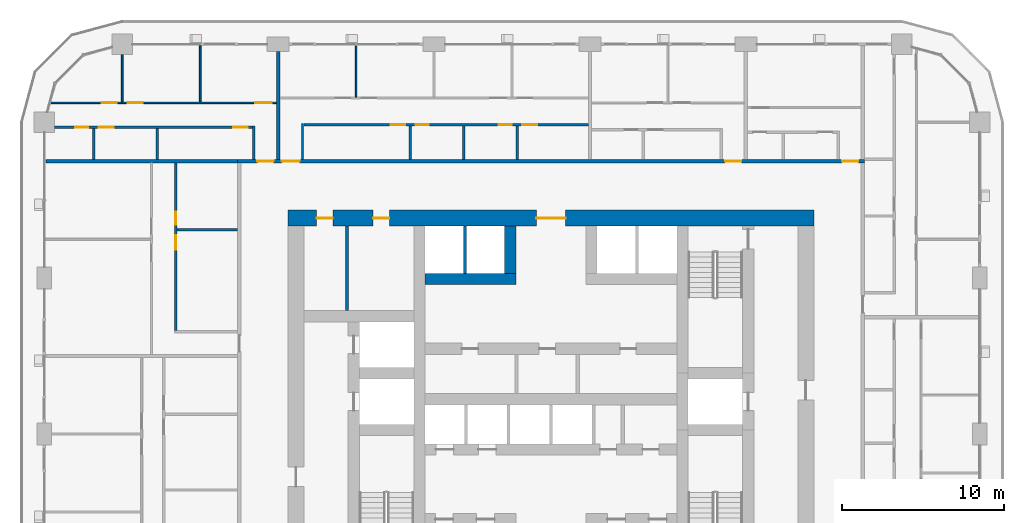
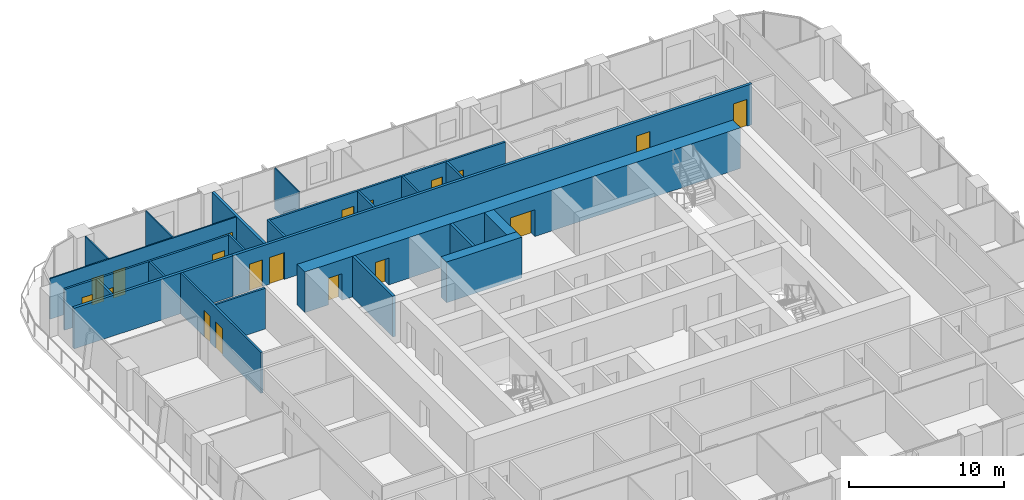
# One storey, part 13 of 21: 23 walls, 19 doors, 19 openings.
"""IFC4 building model written with IfcOpenShell, lengths in metres."""

from ifc_helpers import new_model, si_unit, direction, frame, frame_2d, origin, place, context, subcontext, project, spatial, rectangle, extrude, material, layer, layer_set, type_object, element, fill, save


model = new_model("IFC4")

# Units and contexts
model_context = context("Model", 3, precision=1e-05, world=origin(), true_north=direction((0.0, 1.0)))
body_context = subcontext(model_context, "Body", "Model", "MODEL_VIEW")
ifc_project = project(units=[si_unit("LENGTHUNIT", "METRE"), si_unit("AREAUNIT", "SQUARE_METRE"), si_unit("VOLUMEUNIT", "CUBIC_METRE"), si_unit("PLANEANGLEUNIT", "RADIAN"), si_unit("MASSUNIT", "GRAM", prefix="KILO")], contexts=[model_context])

# Site, building, storey
site_placement = place(None, origin())
site = spatial("IfcSite", under=ifc_project, at=site_placement, CompositionType="ELEMENT")
building_placement = place(site_placement, origin())
building = spatial("IfcBuilding", under=site, at=building_placement, Name="Madar Terraces", CompositionType="ELEMENT")
storey_placement = place(building_placement, frame((0.0, 0.0, 32.89990234375)))
storey = spatial("IfcBuildingStorey", under=building, at=storey_placement, Name="L07", CompositionType="ELEMENT", Elevation=32.89990234375)

# Walls
ifc_material_1 = material(Name="Concrete C80/95", Category="concrete")
ifc_layer_1 = layer(ifc_material_1, 0.699951171875)
ifc_layer_set_1 = layer_set([ifc_layer_1], Name="Concrete C80/95 (CIW1 RC wall 700)")
wall_type_1 = type_object("IfcWallType", Name="CIW1 RC wall 700", PredefinedType="SHEAR", material=ifc_layer_set_1)
wall_1_placement = place(storey_placement, frame((23.449951171875, 33.550048828125, 0.0), z_axis=(0.0, 0.0, 1.0), x_axis=(1.0, 0.0, 0.0)))
element("IfcWall", 1, at=wall_1_placement, inside=storey, type_object=wall_type_1, Name="CORE SHAFT WALL", PredefinedType="SHEAR", context=body_context, shape_type="SweptSolid", body=[
    extrude(rectangle(XDim=5.60009765625, YDim=0.699951171875, at=frame_2d((2.800048828125, 0.0))), origin(), (0.0, 0.0, 1.0), 3.2001953125),
])
wall_2_placement = place(storey_placement, frame((28.699951171875, 33.89990234375, 0.0), z_axis=(0.0, 0.0, 1.0), x_axis=(0.0, 1.0, 0.0)))
element("IfcWall", 2, at=wall_2_placement, inside=storey, type_object=wall_type_1, Name="CORE SHAFT WALL", PredefinedType="SHEAR", context=body_context, shape_type="SweptSolid", body=[
    extrude(rectangle(XDim=2.900146484375, YDim=0.699951171875, at=frame_2d((1.4501953125, 0.0))), origin(), (0.0, 0.0, 1.0), 3.2001953125),
])

# Wall, openings, doors
ifc_material_2 = material(Name="Concrete C80/95", Category="concrete")
ifc_layer_2 = layer(ifc_material_2, 1.0)
ifc_layer_set_2 = layer_set([ifc_layer_2], Name="Concrete C80/95 (CRW1 RC wall 1000)")
wall_type_2 = type_object("IfcWallType", Name="CRW1 RC wall 1000", PredefinedType="SHEAR", material=ifc_layer_set_2)
wall_3_placement = place(storey_placement, frame((15.0, 37.300048828125, 0.0), z_axis=(0.0, 0.0, 1.0), x_axis=(1.0, 0.0, 0.0)))
wall_3 = element("IfcWall", 3, at=wall_3_placement, inside=storey, type_object=wall_type_2, Name="CORE OUTER WALL", PredefinedType="SHEAR", context=body_context, shape_type="SweptSolid", body=[
    extrude(rectangle(XDim=32.39990234375, YDim=1.0, at=frame_2d((16.199951171875, 0.0))), origin(), (0.0, 0.0, 1.0), 3.2001953125),
])
opening_1_placement = place(wall_3_placement, frame((15.300048828125, 0.0, 0.0)))
opening_1 = element("IfcOpeningElement", 4, at=opening_1_placement, cuts=wall_3, Name="Opening KD1", PredefinedType="OPENING", context=body_context, shape_type="SweptSolid", body=[
    extrude(rectangle(XDim=1.800048828125, YDim=2.10009765625, at=frame_2d((0.89990234375, 1.050048828125))), frame((0.0, 0.510009765625, 0.0), z_axis=(0.0, -1.0, 0.0), x_axis=(1.0, 0.0, 0.0)), (0.0, 0.0, 1.0), 1.02001953125),
])
opening_2_placement = place(wall_3_placement, frame((1.766357421875, 0.0, 0.0)))
opening_2 = element("IfcOpeningElement", 5, at=opening_2_placement, cuts=wall_3, Name="Opening KD2", PredefinedType="OPENING", context=body_context, shape_type="SweptSolid", body=[
    extrude(rectangle(XDim=1.0, YDim=2.10009765625, at=frame_2d((0.5, 1.050048828125))), frame((0.0, 0.510009765625, 0.0), z_axis=(0.0, -1.0, 0.0), x_axis=(1.0, 0.0, 0.0)), (0.0, 0.0, 1.0), 1.02001953125),
])
opening_3_placement = place(wall_3_placement, frame((5.2412109375, 0.0, 0.0)))
opening_3 = element("IfcOpeningElement", 6, at=opening_3_placement, cuts=wall_3, Name="Opening KD2", PredefinedType="OPENING", context=body_context, shape_type="SweptSolid", body=[
    extrude(rectangle(XDim=1.0, YDim=2.10009765625, at=frame_2d((0.5, 1.050048828125))), frame((0.0, 0.510009765625, 0.0), z_axis=(0.0, -1.0, 0.0), x_axis=(1.0, 0.0, 0.0)), (0.0, 0.0, 1.0), 1.02001953125),
])
ifc_material_3 = material(Name="Steel door leaf", Category="steel")
door_type_1 = type_object("IfcDoorType", Name="Lobby door pair 1800 x 2100", OperationType="DOUBLE_DOOR_SINGLE_SWING", PredefinedType="DOOR", material=ifc_material_3)
door_1_placement = place(opening_1_placement, origin())
door_1 = element("IfcDoor", 7, at=door_1_placement, inside=storey, type_object=door_type_1, Name="LIFT LOBBY DOOR", OperationType="DOUBLE_DOOR_SINGLE_SWING", OverallHeight=2.10009765625, OverallWidth=1.800048828125, PredefinedType="DOOR", context=body_context, shape_type="SweptSolid", body=[
    extrude(rectangle(XDim=1.800048828125, YDim=2.10009765625, at=frame_2d((0.89990234375, 1.050048828125))), frame((0.0, 0.02490234375, 0.0), z_axis=(0.0, -1.0, 0.0), x_axis=(1.0, 0.0, 0.0)), (0.0, 0.0, 1.0), 0.050048828125),
])
fill(opening_1, door_1)
ifc_material_4 = material(Name="Steel door leaf", Category="steel")
door_type_2 = type_object("IfcDoorType", Name="Service room door 1000 x 2100", OperationType="NOTDEFINED", PredefinedType="DOOR", material=ifc_material_4)
door_2_placement = place(opening_2_placement, origin())
door_2 = element("IfcDoor", 8, at=door_2_placement, inside=storey, type_object=door_type_2, Name="SERVICE ROOM DOOR", OperationType="SINGLE_SWING_RIGHT", OverallHeight=2.10009765625, OverallWidth=1.0, PredefinedType="DOOR", context=body_context, shape_type="SweptSolid", body=[
    extrude(rectangle(XDim=1.0, YDim=2.10009765625, at=frame_2d((0.5, 1.050048828125))), frame((0.0, 0.02490234375, 0.0), z_axis=(0.0, -1.0, 0.0), x_axis=(1.0, 0.0, 0.0)), (0.0, 0.0, 1.0), 0.050048828125),
])
fill(opening_2, door_2)
door_3_placement = place(opening_3_placement, origin())
door_3 = element("IfcDoor", 9, at=door_3_placement, inside=storey, type_object=door_type_2, Name="SERVICE ROOM DOOR", OperationType="SINGLE_SWING_LEFT", OverallHeight=2.10009765625, OverallWidth=1.0, PredefinedType="DOOR", context=body_context, shape_type="SweptSolid", body=[
    extrude(rectangle(XDim=1.0, YDim=2.10009765625, at=frame_2d((0.5, 1.050048828125))), frame((0.0, 0.02490234375, 0.0), z_axis=(0.0, -1.0, 0.0), x_axis=(1.0, 0.0, 0.0)), (0.0, 0.0, 1.0), 0.050048828125),
])
fill(opening_3, door_3)

# Walls
ifc_material_5 = material(Name="Masonry blockwork", Category="masonry")
ifc_layer_3 = layer(ifc_material_5, 0.199951171875)
ifc_layer_set_3 = layer_set([ifc_layer_3], Name="Core partition 200 blockwork")
wall_type_3 = type_object("IfcWallType", Name="Core partition 200 blockwork", PredefinedType="PARTITIONING", material=ifc_layer_set_3)
wall_4_placement = place(storey_placement, frame((18.632568359375, 31.60009765625, 0.0), z_axis=(0.0, 0.0, 1.0), x_axis=(0.0, 1.0, 0.0)))
element("IfcWall", 10, at=wall_4_placement, inside=storey, type_object=wall_type_3, Name="SERVICE ROOM PARTITION", PredefinedType="PARTITIONING", context=body_context, shape_type="SweptSolid", body=[
    extrude(rectangle(XDim=5.199951171875, YDim=0.199951171875, at=frame_2d((2.60009765625, 0.0))), origin(), (0.0, 0.0, 1.0), 3.2001953125),
])
ifc_material_6 = material(Name="Concrete C40/50", Category="concrete")
ifc_layer_4 = layer(ifc_material_6, 0.199951171875)
ifc_layer_set_4 = layer_set([ifc_layer_4], Name="Core shaft dividing wall 200 C40/50")
wall_type_4 = type_object("IfcWallType", Name="Core shaft dividing wall 200 C40/50", PredefinedType="SOLIDWALL", material=ifc_layer_set_4)
wall_5_placement = place(storey_placement, frame((25.89990234375, 33.89990234375, 0.0), z_axis=(0.0, 0.0, 1.0), x_axis=(0.0, 1.0, 0.0)))
element("IfcWall", 11, at=wall_5_placement, inside=storey, type_object=wall_type_4, Name="SHAFT DIVIDING WALL", PredefinedType="SOLIDWALL", context=body_context, shape_type="SweptSolid", body=[
    extrude(rectangle(XDim=2.900146484375, YDim=0.199951171875, at=frame_2d((1.4501953125, 0.0))), origin(), (0.0, 0.0, 1.0), 3.2001953125),
])
ifc_material_7 = material(Name="Gypsum board on steel studs", Category="steel")
ifc_layer_5 = layer(ifc_material_7, 0.10009765625)
ifc_layer_set_5 = layer_set([ifc_layer_5], Name="Flat partition 100")
wall_type_5 = type_object("IfcWallType", Name="Flat partition 100", PredefinedType="PARTITIONING", material=ifc_layer_set_5)
wall_6_placement = place(storey_placement, frame((19.199951171875, 44.75, 0.0), z_axis=(0.0, 0.0, 1.0), x_axis=(0.0, 1.0, 0.0)))
element("IfcWall", 12, at=wall_6_placement, inside=storey, type_object=wall_type_5, Name="Flat partition 100", PredefinedType="PARTITIONING", context=body_context, shape_type="SweptSolid", body=[
    extrude(rectangle(XDim=3.14990234375, YDim=0.10009765625, at=frame_2d((1.574951171875, 0.0))), origin(), (0.0, 0.0, 1.0), 3.2001953125),
])
wall_7_placement = place(storey_placement, frame((9.60009765625, 44.449951171875, 0.0), z_axis=(0.0, 0.0, 1.0), x_axis=(0.0, 1.0, 0.0)))
element("IfcWall", 13, at=wall_7_placement, inside=storey, type_object=wall_type_5, Name="Flat partition 100", PredefinedType="PARTITIONING", context=body_context, shape_type="SweptSolid", body=[
    extrude(rectangle(XDim=3.449951171875, YDim=0.10009765625, at=frame_2d((1.72509765625, 0.0))), origin(), (0.0, 0.0, 1.0), 3.2001953125),
])
wall_8_placement = place(storey_placement, frame((4.800048828125, 44.449951171875, 0.0), z_axis=(0.0, 0.0, 1.0), x_axis=(0.0, 1.0, 0.0)))
element("IfcWall", 14, at=wall_8_placement, inside=storey, type_object=wall_type_5, Name="Flat partition 100", PredefinedType="PARTITIONING", context=body_context, shape_type="SweptSolid", body=[
    extrude(rectangle(XDim=2.925048828125, YDim=0.10009765625, at=frame_2d((1.46240234375, 0.0))), origin(), (0.0, 0.0, 1.0), 3.2001953125),
])

# Wall, openings, doors
wall_9_placement = place(storey_placement, frame((0.42138671875, 44.39990234375, 0.0), z_axis=(0.0, 0.0, 1.0), x_axis=(1.0, 0.0, 0.0)))
wall_9 = element("IfcWall", 15, at=wall_9_placement, inside=storey, type_object=wall_type_5, Name="Flat partition 100", PredefinedType="PARTITIONING", context=body_context, shape_type="SweptSolid", body=[
    extrude(rectangle(XDim=13.878662109375, YDim=0.10009765625, at=frame_2d((6.939453125, 0.0))), origin(), (0.0, 0.0, 1.0), 3.2001953125),
])
opening_4_placement = place(wall_9_placement, frame((12.57861328125, 0.0, 0.0)))
opening_4 = element("IfcOpeningElement", 16, at=opening_4_placement, cuts=wall_9, Name="Opening D3", PredefinedType="OPENING", context=body_context, shape_type="SweptSolid", body=[
    extrude(rectangle(XDim=1.0, YDim=2.10009765625, at=frame_2d((0.5, 1.050048828125))), frame((0.0, 0.06005859375, 0.0), z_axis=(0.0, -1.0, 0.0), x_axis=(1.0, 0.0, 0.0)), (0.0, 0.0, 1.0), 0.1201171875),
])
opening_5_placement = place(wall_9_placement, frame((4.728515625, 0.0, 0.0)))
opening_5 = element("IfcOpeningElement", 17, at=opening_5_placement, cuts=wall_9, Name="Opening D2", PredefinedType="OPENING", context=body_context, shape_type="SweptSolid", body=[
    extrude(rectangle(XDim=0.89990234375, YDim=2.10009765625, at=frame_2d((0.449951171875, 1.050048828125))), frame((0.0, 0.06005859375, 0.0), z_axis=(0.0, -1.0, 0.0), x_axis=(1.0, 0.0, 0.0)), (0.0, 0.0, 1.0), 0.1201171875),
])
opening_6_placement = place(wall_9_placement, frame((3.12841796875, 0.0, 0.0)))
opening_6 = element("IfcOpeningElement", 18, at=opening_6_placement, cuts=wall_9, Name="Opening D2", PredefinedType="OPENING", context=body_context, shape_type="SweptSolid", body=[
    extrude(rectangle(XDim=0.89990234375, YDim=2.10009765625, at=frame_2d((0.449951171875, 1.050048828125))), frame((0.0, 0.06005859375, 0.0), z_axis=(0.0, -1.0, 0.0), x_axis=(1.0, 0.0, 0.0)), (0.0, 0.0, 1.0), 0.1201171875),
])
ifc_material_8 = material(Name="Timber door leaf", Category="wood")
door_type_3 = type_object("IfcDoorType", Name="Flat living room door 1000", OperationType="NOTDEFINED", PredefinedType="DOOR", material=ifc_material_8)
door_4_placement = place(opening_4_placement, origin())
door_4 = element("IfcDoor", 19, at=door_4_placement, inside=storey, type_object=door_type_3, Name="Flat living room door 1000", OperationType="SINGLE_SWING_RIGHT", OverallHeight=2.10009765625, OverallWidth=1.0, PredefinedType="DOOR", context=body_context, shape_type="SweptSolid", body=[
    extrude(rectangle(XDim=1.0, YDim=2.10009765625, at=frame_2d((0.5, 1.050048828125))), frame((0.0, 0.02490234375, 0.0), z_axis=(0.0, -1.0, 0.0), x_axis=(1.0, 0.0, 0.0)), (0.0, 0.0, 1.0), 0.050048828125),
])
fill(opening_4, door_4)
ifc_material_9 = material(Name="Timber door leaf", Category="wood")
door_type_4 = type_object("IfcDoorType", Name="Flat room door 900", OperationType="NOTDEFINED", PredefinedType="DOOR", material=ifc_material_9)
door_5_placement = place(opening_5_placement, origin())
door_5 = element("IfcDoor", 20, at=door_5_placement, inside=storey, type_object=door_type_4, Name="Flat room door 900", OperationType="SINGLE_SWING_LEFT", OverallHeight=2.10009765625, OverallWidth=0.89990234375, PredefinedType="DOOR", context=body_context, shape_type="SweptSolid", body=[
    extrude(rectangle(XDim=0.89990234375, YDim=2.10009765625, at=frame_2d((0.449951171875, 1.050048828125))), frame((0.0, 0.02490234375, 0.0), z_axis=(0.0, -1.0, 0.0), x_axis=(1.0, 0.0, 0.0)), (0.0, 0.0, 1.0), 0.050048828125),
])
fill(opening_5, door_5)
door_6_placement = place(opening_6_placement, origin())
door_6 = element("IfcDoor", 21, at=door_6_placement, inside=storey, type_object=door_type_4, Name="Flat room door 900", OperationType="SINGLE_SWING_RIGHT", OverallHeight=2.10009765625, OverallWidth=0.89990234375, PredefinedType="DOOR", context=body_context, shape_type="SweptSolid", body=[
    extrude(rectangle(XDim=0.89990234375, YDim=2.10009765625, at=frame_2d((0.449951171875, 1.050048828125))), frame((0.0, 0.02490234375, 0.0), z_axis=(0.0, -1.0, 0.0), x_axis=(1.0, 0.0, 0.0)), (0.0, 0.0, 1.0), 0.050048828125),
])
fill(opening_6, door_6)

ifc_material_10 = material(Name="Lightweight blockwork", Category="masonry")
ifc_layer_6 = layer(ifc_material_10, 0.199951171875)
ifc_layer_set_6 = layer_set([ifc_layer_6], Name="Flat party and entrance wall 200")
wall_type_6 = type_object("IfcWallType", Name="Flat party and entrance wall 200", PredefinedType="PARTITIONING", material=ifc_layer_set_6)
wall_10_placement = place(storey_placement, frame((11.89990234375, 40.800048828125, 0.0), z_axis=(0.0, 0.0, 1.0), x_axis=(1.0, 0.0, 0.0)))
wall_10 = element("IfcWall", 22, at=wall_10_placement, inside=storey, type_object=wall_type_6, Name="Flat party and entrance wall 200", PredefinedType="PARTITIONING", context=body_context, shape_type="SweptSolid", body=[
    extrude(rectangle(XDim=38.60009765625, YDim=0.199951171875, at=frame_2d((19.300048828125, 0.0))), origin(), (0.0, 0.0, 1.0), 3.2001953125),
])
opening_7_placement = place(wall_10_placement, frame((37.22509765625, 0.0, 0.0)))
opening_7 = element("IfcOpeningElement", 23, at=opening_7_placement, cuts=wall_10, Name="Opening D1", PredefinedType="OPENING", context=body_context, shape_type="SweptSolid", body=[
    extrude(rectangle(XDim=1.0, YDim=2.10009765625, at=frame_2d((0.5, 1.050048828125))), frame((0.0, 0.10986328125, 0.0), z_axis=(0.0, -1.0, 0.0), x_axis=(1.0, 0.0, 0.0)), (0.0, 0.0, 1.0), 0.219970703125),
])
opening_8_placement = place(wall_10_placement, frame((30.02490234375, 0.0, 0.0)))
opening_8 = element("IfcOpeningElement", 24, at=opening_8_placement, cuts=wall_10, Name="Opening D1", PredefinedType="OPENING", context=body_context, shape_type="SweptSolid", body=[
    extrude(rectangle(XDim=1.0, YDim=2.10009765625, at=frame_2d((0.5, 1.050048828125))), frame((0.0, 0.10986328125, 0.0), z_axis=(0.0, -1.0, 0.0), x_axis=(1.0, 0.0, 0.0)), (0.0, 0.0, 1.0), 0.219970703125),
])
opening_9_placement = place(wall_10_placement, frame((2.72509765625, 0.0, 0.0)))
opening_9 = element("IfcOpeningElement", 25, at=opening_9_placement, cuts=wall_10, Name="Opening D6", PredefinedType="OPENING", context=body_context, shape_type="SweptSolid", body=[
    extrude(rectangle(XDim=1.10009765625, YDim=2.10009765625, at=frame_2d((0.550048828125, 1.050048828125))), frame((0.0, 0.10986328125, 0.0), z_axis=(0.0, -1.0, 0.0), x_axis=(1.0, 0.0, 0.0)), (0.0, 0.0, 1.0), 0.219970703125),
])
opening_10_placement = place(wall_10_placement, frame((1.22509765625, 0.0, 0.0)))
opening_10 = element("IfcOpeningElement", 26, at=opening_10_placement, cuts=wall_10, Name="Opening D1", PredefinedType="OPENING", context=body_context, shape_type="SweptSolid", body=[
    extrude(rectangle(XDim=1.0, YDim=2.10009765625, at=frame_2d((0.5, 1.050048828125))), frame((0.0, 0.10986328125, 0.0), z_axis=(0.0, -1.0, 0.0), x_axis=(1.0, 0.0, 0.0)), (0.0, 0.0, 1.0), 0.219970703125),
])
ifc_material_11 = material(Name="Timber fire door leaf", Category="wood")
door_type_5 = type_object("IfcDoorType", Name="Flat entrance door 1000 FD30S", OperationType="NOTDEFINED", PredefinedType="DOOR", material=ifc_material_11)
door_7_placement = place(opening_7_placement, origin())
door_7 = element("IfcDoor", 27, at=door_7_placement, inside=storey, type_object=door_type_5, Name="Flat entrance door 1000 FD30S", OperationType="SINGLE_SWING_RIGHT", OverallHeight=2.10009765625, OverallWidth=1.0, PredefinedType="DOOR", context=body_context, shape_type="SweptSolid", body=[
    extrude(rectangle(XDim=1.0, YDim=2.10009765625, at=frame_2d((0.5, 1.050048828125))), frame((0.0, 0.02490234375, 0.0), z_axis=(0.0, -1.0, 0.0), x_axis=(1.0, 0.0, 0.0)), (0.0, 0.0, 1.0), 0.050048828125),
])
fill(opening_7, door_7)
door_8_placement = place(opening_8_placement, origin())
door_8 = element("IfcDoor", 28, at=door_8_placement, inside=storey, type_object=door_type_5, Name="Flat entrance door 1000 FD30S", OperationType="SINGLE_SWING_RIGHT", OverallHeight=2.10009765625, OverallWidth=1.0, PredefinedType="DOOR", context=body_context, shape_type="SweptSolid", body=[
    extrude(rectangle(XDim=1.0, YDim=2.10009765625, at=frame_2d((0.5, 1.050048828125))), frame((0.0, 0.02490234375, 0.0), z_axis=(0.0, -1.0, 0.0), x_axis=(1.0, 0.0, 0.0)), (0.0, 0.0, 1.0), 0.050048828125),
])
fill(opening_8, door_8)
door_9_placement = place(opening_10_placement, origin())
door_9 = element("IfcDoor", 29, at=door_9_placement, inside=storey, type_object=door_type_5, Name="Flat entrance door 1000 FD30S", OperationType="SINGLE_SWING_RIGHT", OverallHeight=2.10009765625, OverallWidth=1.0, PredefinedType="DOOR", context=body_context, shape_type="SweptSolid", body=[
    extrude(rectangle(XDim=1.0, YDim=2.10009765625, at=frame_2d((0.5, 1.050048828125))), frame((0.0, 0.02490234375, 0.0), z_axis=(0.0, -1.0, 0.0), x_axis=(1.0, 0.0, 0.0)), (0.0, 0.0, 1.0), 0.050048828125),
])
fill(opening_10, door_9)
ifc_material_12 = material(Name="Timber fire door leaf", Category="wood")
door_type_6 = type_object("IfcDoorType", Name="Flat entrance door 1100 FD30S", OperationType="NOTDEFINED", PredefinedType="DOOR", material=ifc_material_12)
door_10_placement = place(opening_9_placement, origin())
door_10 = element("IfcDoor", 30, at=door_10_placement, inside=storey, type_object=door_type_6, Name="Flat entrance door 1100 FD30S", OperationType="SINGLE_SWING_LEFT", OverallHeight=2.10009765625, OverallWidth=1.10009765625, PredefinedType="DOOR", context=body_context, shape_type="SweptSolid", body=[
    extrude(rectangle(XDim=1.10009765625, YDim=2.10009765625, at=frame_2d((0.550048828125, 1.050048828125))), frame((0.0, 0.02490234375, 0.0), z_axis=(0.0, -1.0, 0.0), x_axis=(1.0, 0.0, 0.0)), (0.0, 0.0, 1.0), 0.050048828125),
])
fill(opening_9, door_10)

# Walls
wall_11_placement = place(storey_placement, frame((14.39990234375, 47.550048828125, 0.0), z_axis=(0.0, 0.0, 1.0), x_axis=(0.0, -1.0, 0.0)))
element("IfcWall", 31, at=wall_11_placement, inside=storey, type_object=wall_type_6, Name="Flat party and entrance wall 200", PredefinedType="PARTITIONING", context=body_context, shape_type="SweptSolid", body=[
    extrude(rectangle(XDim=6.650146484375, YDim=0.199951171875, at=frame_2d((3.3251953125, 0.0))), origin(), (0.0, 0.0, 1.0), 3.2001953125),
])
wall_12_placement = place(storey_placement, frame((0.10009765625, 40.800048828125, 0.0), z_axis=(0.0, 0.0, 1.0), x_axis=(1.0, 0.0, 0.0)))
element("IfcWall", 32, at=wall_12_placement, inside=storey, type_object=wall_type_6, Name="Flat party and entrance wall 200", PredefinedType="PARTITIONING", context=body_context, shape_type="SweptSolid", body=[
    extrude(rectangle(XDim=11.7998046875, YDim=0.199951171875, at=frame_2d((5.89990234375, 0.0))), origin(), (0.0, 0.0, 1.0), 3.2001953125),
])
ifc_material_13 = material(Name="Lightweight blockwork", Category="masonry")
ifc_layer_7 = layer(ifc_material_13, 0.14990234375)
ifc_layer_set_7 = layer_set([ifc_layer_7], Name="Flat wet-room partition 150")
wall_type_7 = type_object("IfcWallType", Name="Flat wet-room partition 150", PredefinedType="PARTITIONING", material=ifc_layer_set_7)
for number, where, z_axis, x_axis, name in (
    (33, (22.546875, 40.89990234375, 0.0), (0.0, 0.0, 1.0), (0.0, 1.0, 0.0), "Flat wet-room partition 150"),
    (34, (25.832763671875, 40.89990234375, 0.0), (0.0, 0.0, 1.0), (0.0, 1.0, 0.0), "Flat wet-room partition 150"),
    (35, (29.11865234375, 40.89990234375, 0.0), (0.0, 0.0, 1.0), (0.0, 1.0, 0.0), "Flat wet-room partition 150"),
):
    element("IfcWall", number, at=place(storey_placement, frame(where, z_axis=z_axis, x_axis=x_axis)), inside=storey, type_object=wall_type_7, Name=name, PredefinedType="PARTITIONING", context=body_context, shape_type="SweptSolid", body=[
        extrude(rectangle(XDim=2.0751953125, YDim=0.14990234375, at=frame_2d((1.03759765625, 0.0))), origin(), (0.0, 0.0, 1.0), 3.2001953125),
    ])
wall_13_placement = place(storey_placement, frame((15.89990234375, 40.89990234375, 0.0), z_axis=(0.0, 0.0, 1.0), x_axis=(0.0, 1.0, 0.0)))
element("IfcWall", 36, at=wall_13_placement, inside=storey, type_object=wall_type_7, Name="Flat wet-room partition 150", PredefinedType="PARTITIONING", context=body_context, shape_type="SweptSolid", body=[
    extrude(rectangle(XDim=2.22509765625, YDim=0.14990234375, at=frame_2d((1.112548828125, 0.0))), origin(), (0.0, 0.0, 1.0), 3.2001953125),
])

# Wall, openings, doors
wall_14_placement = place(storey_placement, frame((33.5, 43.050048828125, 0.0), z_axis=(0.0, 0.0, 1.0), x_axis=(-1.0, 0.0, 0.0)))
wall_14 = element("IfcWall", 37, at=wall_14_placement, inside=storey, type_object=wall_type_7, Name="Flat wet-room partition 150", PredefinedType="PARTITIONING", context=body_context, shape_type="SweptSolid", body=[
    extrude(rectangle(XDim=17.52490234375, YDim=0.14990234375, at=frame_2d((8.762451171875, 0.0))), origin(), (0.0, 0.0, 1.0), 3.2001953125),
])
opening_11_placement = place(wall_14_placement, frame((11.278076171875, 0.0, 0.0)))
opening_11 = element("IfcOpeningElement", 38, at=opening_11_placement, cuts=wall_14, Name="Opening D2", PredefinedType="OPENING", context=body_context, shape_type="SweptSolid", body=[
    extrude(rectangle(XDim=0.89990234375, YDim=2.10009765625, at=frame_2d((0.449951171875, 1.050048828125))), frame((0.0, 0.0849609375, 0.0), z_axis=(0.0, -1.0, 0.0), x_axis=(1.0, 0.0, 0.0)), (0.0, 0.0, 1.0), 0.169921875),
])
opening_12_placement = place(wall_14_placement, frame((9.828125, 0.0, 0.0)))
opening_12 = element("IfcOpeningElement", 39, at=opening_12_placement, cuts=wall_14, Name="Opening D4", PredefinedType="OPENING", context=body_context, shape_type="SweptSolid", body=[
    extrude(rectangle(XDim=0.800048828125, YDim=2.10009765625, at=frame_2d((0.39990234375, 1.050048828125))), frame((0.0, 0.0849609375, 0.0), z_axis=(0.0, -1.0, 0.0), x_axis=(1.0, 0.0, 0.0)), (0.0, 0.0, 1.0), 0.169921875),
])
opening_13_placement = place(wall_14_placement, frame((4.706298828125, 0.0, 0.0)))
opening_13 = element("IfcOpeningElement", 40, at=opening_13_placement, cuts=wall_14, Name="Opening D7", PredefinedType="OPENING", context=body_context, shape_type="SweptSolid", body=[
    extrude(rectangle(XDim=0.800048828125, YDim=2.10009765625, at=frame_2d((0.39990234375, 1.050048828125))), frame((0.0, 0.0849609375, 0.0), z_axis=(0.0, -1.0, 0.0), x_axis=(1.0, 0.0, 0.0)), (0.0, 0.0, 1.0), 0.169921875),
])
opening_14_placement = place(wall_14_placement, frame((3.15625, 0.0, 0.0)))
opening_14 = element("IfcOpeningElement", 41, at=opening_14_placement, cuts=wall_14, Name="Opening D5", PredefinedType="OPENING", context=body_context, shape_type="SweptSolid", body=[
    extrude(rectangle(XDim=0.89990234375, YDim=2.10009765625, at=frame_2d((0.449951171875, 1.050048828125))), frame((0.0, 0.0849609375, 0.0), z_axis=(0.0, -1.0, 0.0), x_axis=(1.0, 0.0, 0.0)), (0.0, 0.0, 1.0), 0.169921875),
])
ifc_material_14 = material(Name="Timber door leaf", Category="wood")
door_type_7 = type_object("IfcDoorType", Name="Flat accessible bathroom door 900", OperationType="NOTDEFINED", PredefinedType="DOOR", material=ifc_material_14)
door_11_placement = place(opening_14_placement, origin())
door_11 = element("IfcDoor", 42, at=door_11_placement, inside=storey, type_object=door_type_7, Name="Flat accessible bathroom door 900", OperationType="SINGLE_SWING_RIGHT", OverallHeight=2.10009765625, OverallWidth=0.89990234375, PredefinedType="DOOR", context=body_context, shape_type="SweptSolid", body=[
    extrude(rectangle(XDim=0.89990234375, YDim=2.10009765625, at=frame_2d((0.449951171875, 1.050048828125))), frame((0.0, 0.02490234375, 0.0), z_axis=(0.0, -1.0, 0.0), x_axis=(1.0, 0.0, 0.0)), (0.0, 0.0, 1.0), 0.050048828125),
])
fill(opening_14, door_11)
ifc_material_15 = material(Name="Timber door leaf", Category="wood")
door_type_8 = type_object("IfcDoorType", Name="Flat bathroom door 800", OperationType="NOTDEFINED", PredefinedType="DOOR", material=ifc_material_15)
door_12_placement = place(opening_12_placement, origin())
door_12 = element("IfcDoor", 43, at=door_12_placement, inside=storey, type_object=door_type_8, Name="Flat bathroom door 800", OperationType="SINGLE_SWING_RIGHT", OverallHeight=2.10009765625, OverallWidth=0.800048828125, PredefinedType="DOOR", context=body_context, shape_type="SweptSolid", body=[
    extrude(rectangle(XDim=0.800048828125, YDim=2.10009765625, at=frame_2d((0.39990234375, 1.050048828125))), frame((0.0, 0.02490234375, 0.0), z_axis=(0.0, -1.0, 0.0), x_axis=(1.0, 0.0, 0.0)), (0.0, 0.0, 1.0), 0.050048828125),
])
fill(opening_12, door_12)
door_13_placement = place(opening_11_placement, origin())
door_13 = element("IfcDoor", 44, at=door_13_placement, inside=storey, type_object=door_type_4, Name="Flat room door 900", OperationType="SINGLE_SWING_LEFT", OverallHeight=2.10009765625, OverallWidth=0.89990234375, PredefinedType="DOOR", context=body_context, shape_type="SweptSolid", body=[
    extrude(rectangle(XDim=0.89990234375, YDim=2.10009765625, at=frame_2d((0.449951171875, 1.050048828125))), frame((0.0, 0.02490234375, 0.0), z_axis=(0.0, -1.0, 0.0), x_axis=(1.0, 0.0, 0.0)), (0.0, 0.0, 1.0), 0.050048828125),
])
fill(opening_11, door_13)
ifc_material_16 = material(Name="Timber door leaf", Category="wood")
door_type_9 = type_object("IfcDoorType", Name="Flat utility door 800", OperationType="NOTDEFINED", PredefinedType="DOOR", material=ifc_material_16)
door_14_placement = place(opening_13_placement, origin())
door_14 = element("IfcDoor", 45, at=door_14_placement, inside=storey, type_object=door_type_9, Name="Flat utility door 800", OperationType="SINGLE_SWING_LEFT", OverallHeight=2.10009765625, OverallWidth=0.800048828125, PredefinedType="DOOR", context=body_context, shape_type="SweptSolid", body=[
    extrude(rectangle(XDim=0.800048828125, YDim=2.10009765625, at=frame_2d((0.39990234375, 1.050048828125))), frame((0.0, 0.02490234375, 0.0), z_axis=(0.0, -1.0, 0.0), x_axis=(1.0, 0.0, 0.0)), (0.0, 0.0, 1.0), 0.050048828125),
])
fill(opening_13, door_14)

# Walls
for number, where, z_axis, x_axis, name in (
    (46, (6.951904296875, 40.89990234375, 0.0), (0.0, 0.0, 1.0), (0.0, 1.0, 0.0), "Flat wet-room partition 150"),
    (47, (3.03662109375, 40.89990234375, 0.0), (0.0, 0.0, 1.0), (0.0, 1.0, 0.0), "Flat wet-room partition 150"),
):
    element("IfcWall", number, at=place(storey_placement, frame(where, z_axis=z_axis, x_axis=x_axis)), inside=storey, type_object=wall_type_7, Name=name, PredefinedType="PARTITIONING", context=body_context, shape_type="SweptSolid", body=[
        extrude(rectangle(XDim=1.925048828125, YDim=0.14990234375, at=frame_2d((0.96240234375, 0.0))), origin(), (0.0, 0.0, 1.0), 3.2001953125),
    ])
wall_15_placement = place(storey_placement, frame((12.89990234375, 40.89990234375, 0.0), z_axis=(0.0, 0.0, 1.0), x_axis=(0.0, 1.0, 0.0)))
element("IfcWall", 48, at=wall_15_placement, inside=storey, type_object=wall_type_7, Name="Flat wet-room partition 150", PredefinedType="PARTITIONING", context=body_context, shape_type="SweptSolid", body=[
    extrude(rectangle(XDim=2.0751953125, YDim=0.14990234375, at=frame_2d((1.03759765625, 0.0))), origin(), (0.0, 0.0, 1.0), 3.2001953125),
])

# Wall, openings, doors
wall_16_placement = place(storey_placement, frame((12.824951171875, 42.89990234375, 0.0), z_axis=(0.0, 0.0, 1.0), x_axis=(-1.0, 0.0, 0.0)))
wall_16 = element("IfcWall", 49, at=wall_16_placement, inside=storey, type_object=wall_type_7, Name="Flat wet-room partition 150", PredefinedType="PARTITIONING", context=body_context, shape_type="SweptSolid", body=[
    extrude(rectangle(XDim=12.199951171875, YDim=0.14990234375, at=frame_2d((6.10009765625, 0.0))), origin(), (0.0, 0.0, 1.0), 3.2001953125),
])
opening_15_placement = place(wall_16_placement, frame((0.300048828125, 0.0, 0.0)))
opening_15 = element("IfcOpeningElement", 50, at=opening_15_placement, cuts=wall_16, Name="Opening D2", PredefinedType="OPENING", context=body_context, shape_type="SweptSolid", body=[
    extrude(rectangle(XDim=0.89990234375, YDim=2.10009765625, at=frame_2d((0.449951171875, 1.050048828125))), frame((0.0, 0.0849609375, 0.0), z_axis=(0.0, -1.0, 0.0), x_axis=(1.0, 0.0, 0.0)), (0.0, 0.0, 1.0), 0.169921875),
])
opening_16_placement = place(wall_16_placement, frame((8.5634765625, 0.0, 0.0)))
opening_16 = element("IfcOpeningElement", 51, at=opening_16_placement, cuts=wall_16, Name="Opening D5", PredefinedType="OPENING", context=body_context, shape_type="SweptSolid", body=[
    extrude(rectangle(XDim=0.89990234375, YDim=2.10009765625, at=frame_2d((0.449951171875, 1.050048828125))), frame((0.0, 0.0849609375, 0.0), z_axis=(0.0, -1.0, 0.0), x_axis=(1.0, 0.0, 0.0)), (0.0, 0.0, 1.0), 0.169921875),
])
opening_17_placement = place(wall_16_placement, frame((10.113525390625, 0.0, 0.0)))
opening_17 = element("IfcOpeningElement", 52, at=opening_17_placement, cuts=wall_16, Name="Opening D4", PredefinedType="OPENING", context=body_context, shape_type="SweptSolid", body=[
    extrude(rectangle(XDim=0.800048828125, YDim=2.10009765625, at=frame_2d((0.39990234375, 1.050048828125))), frame((0.0, 0.0849609375, 0.0), z_axis=(0.0, -1.0, 0.0), x_axis=(1.0, 0.0, 0.0)), (0.0, 0.0, 1.0), 0.169921875),
])
door_15_placement = place(opening_16_placement, origin())
door_15 = element("IfcDoor", 53, at=door_15_placement, inside=storey, type_object=door_type_7, Name="Flat accessible bathroom door 900", OperationType="SINGLE_SWING_RIGHT", OverallHeight=2.10009765625, OverallWidth=0.89990234375, PredefinedType="DOOR", context=body_context, shape_type="SweptSolid", body=[
    extrude(rectangle(XDim=0.89990234375, YDim=2.10009765625, at=frame_2d((0.449951171875, 1.050048828125))), frame((0.0, 0.02490234375, 0.0), z_axis=(0.0, -1.0, 0.0), x_axis=(1.0, 0.0, 0.0)), (0.0, 0.0, 1.0), 0.050048828125),
])
fill(opening_16, door_15)
door_16_placement = place(opening_17_placement, origin())
door_16 = element("IfcDoor", 54, at=door_16_placement, inside=storey, type_object=door_type_8, Name="Flat bathroom door 800", OperationType="SINGLE_SWING_LEFT", OverallHeight=2.10009765625, OverallWidth=0.800048828125, PredefinedType="DOOR", context=body_context, shape_type="SweptSolid", body=[
    extrude(rectangle(XDim=0.800048828125, YDim=2.10009765625, at=frame_2d((0.39990234375, 1.050048828125))), frame((0.0, 0.02490234375, 0.0), z_axis=(0.0, -1.0, 0.0), x_axis=(1.0, 0.0, 0.0)), (0.0, 0.0, 1.0), 0.050048828125),
])
fill(opening_17, door_16)
door_17_placement = place(opening_15_placement, origin())
door_17 = element("IfcDoor", 55, at=door_17_placement, inside=storey, type_object=door_type_4, Name="Flat room door 900", OperationType="SINGLE_SWING_LEFT", OverallHeight=2.10009765625, OverallWidth=0.89990234375, PredefinedType="DOOR", context=body_context, shape_type="SweptSolid", body=[
    extrude(rectangle(XDim=0.89990234375, YDim=2.10009765625, at=frame_2d((0.449951171875, 1.050048828125))), frame((0.0, 0.02490234375, 0.0), z_axis=(0.0, -1.0, 0.0), x_axis=(1.0, 0.0, 0.0)), (0.0, 0.0, 1.0), 0.050048828125),
])
fill(opening_15, door_17)

# Wall
wall_17_placement = place(storey_placement, frame((11.89990234375, 36.570068359375, 0.0), z_axis=(0.0, 0.0, 1.0), x_axis=(-1.0, 0.0, 0.0)))
element("IfcWall", 56, at=wall_17_placement, inside=storey, type_object=wall_type_7, Name="Flat wet-room partition 150", PredefinedType="PARTITIONING", context=body_context, shape_type="SweptSolid", body=[
    extrude(rectangle(XDim=3.724853515625, YDim=0.14990234375, at=frame_2d((1.8623046875, 0.0))), origin(), (0.0, 0.0, 1.0), 3.2001953125),
])

# Wall, openings, doors
wall_18_placement = place(storey_placement, frame((8.10009765625, 40.699951171875, 0.0), z_axis=(0.0, 0.0, 1.0), x_axis=(0.0, -1.0, 0.0)))
wall_18 = element("IfcWall", 57, at=wall_18_placement, inside=storey, type_object=wall_type_7, Name="Flat wet-room partition 150", PredefinedType="PARTITIONING", context=body_context, shape_type="SweptSolid", body=[
    extrude(rectangle(XDim=10.324951171875, YDim=0.14990234375, at=frame_2d((5.16259765625, 0.0))), origin(), (0.0, 0.0, 1.0), 3.2001953125),
])
opening_18_placement = place(wall_18_placement, frame((4.455078125, 0.0, 0.0)))
opening_18 = element("IfcOpeningElement", 58, at=opening_18_placement, cuts=wall_18, Name="Opening D2", PredefinedType="OPENING", context=body_context, shape_type="SweptSolid", body=[
    extrude(rectangle(XDim=0.89990234375, YDim=2.10009765625, at=frame_2d((0.449951171875, 1.050048828125))), frame((0.0, 0.0849609375, 0.0), z_axis=(0.0, -1.0, 0.0), x_axis=(1.0, 0.0, 0.0)), (0.0, 0.0, 1.0), 0.169921875),
])
opening_19_placement = place(wall_18_placement, frame((3.0048828125, 0.0, 0.0)))
opening_19 = element("IfcOpeningElement", 59, at=opening_19_placement, cuts=wall_18, Name="Opening D4", PredefinedType="OPENING", context=body_context, shape_type="SweptSolid", body=[
    extrude(rectangle(XDim=0.800048828125, YDim=2.10009765625, at=frame_2d((0.39990234375, 1.050048828125))), frame((0.0, 0.0849609375, 0.0), z_axis=(0.0, -1.0, 0.0), x_axis=(1.0, 0.0, 0.0)), (0.0, 0.0, 1.0), 0.169921875),
])
door_18_placement = place(opening_19_placement, origin())
door_18 = element("IfcDoor", 60, at=door_18_placement, inside=storey, type_object=door_type_8, Name="Flat bathroom door 800", OperationType="SINGLE_SWING_RIGHT", OverallHeight=2.10009765625, OverallWidth=0.800048828125, PredefinedType="DOOR", context=body_context, shape_type="SweptSolid", body=[
    extrude(rectangle(XDim=0.800048828125, YDim=2.10009765625, at=frame_2d((0.39990234375, 1.050048828125))), frame((0.0, 0.02490234375, 0.0), z_axis=(0.0, -1.0, 0.0), x_axis=(1.0, 0.0, 0.0)), (0.0, 0.0, 1.0), 0.050048828125),
])
fill(opening_19, door_18)
door_19_placement = place(opening_18_placement, origin())
door_19 = element("IfcDoor", 61, at=door_19_placement, inside=storey, type_object=door_type_4, Name="Flat room door 900", OperationType="SINGLE_SWING_LEFT", OverallHeight=2.10009765625, OverallWidth=0.89990234375, PredefinedType="DOOR", context=body_context, shape_type="SweptSolid", body=[
    extrude(rectangle(XDim=0.89990234375, YDim=2.10009765625, at=frame_2d((0.449951171875, 1.050048828125))), frame((0.0, 0.02490234375, 0.0), z_axis=(0.0, -1.0, 0.0), x_axis=(1.0, 0.0, 0.0)), (0.0, 0.0, 1.0), 0.050048828125),
])
fill(opening_18, door_19)

save(model, "model.ifc")
